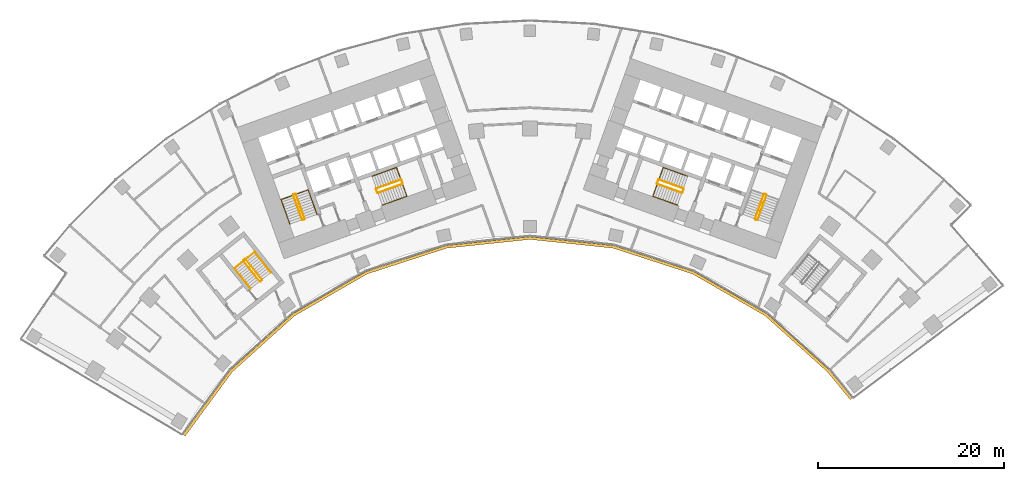
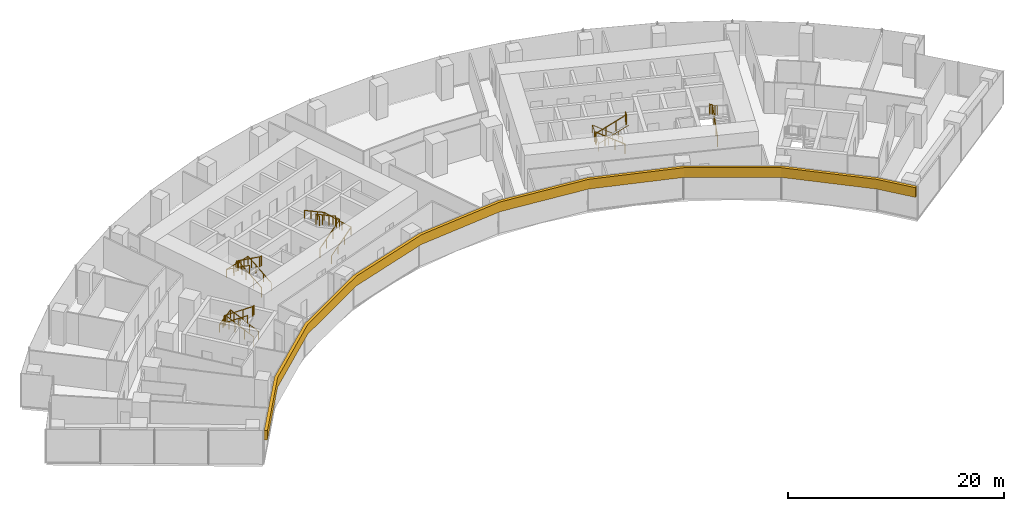
# One storey, part 20 of 21: 14 railings, 1 covering.
"""IFC4 building model written with IfcOpenShell, lengths in metres."""

from ifc_helpers import new_model, si_unit, direction, frame, origin, origin_2d, place, context, subcontext, project, spatial, polyline, circle, outline, extrude, material, layer, layer_set, type_object, element, save


model = new_model("IFC4")

# Units and contexts
model_context = context("Model", 3, precision=1e-05, world=origin(), true_north=direction((0.0, 1.0)))
body_context = subcontext(model_context, "Body", "Model", "MODEL_VIEW")
ifc_project = project(units=[si_unit("LENGTHUNIT", "METRE"), si_unit("AREAUNIT", "SQUARE_METRE"), si_unit("VOLUMEUNIT", "CUBIC_METRE"), si_unit("PLANEANGLEUNIT", "RADIAN"), si_unit("MASSUNIT", "GRAM", prefix="KILO")], contexts=[model_context])

# Site, building, storey
site_placement = place(None, origin())
site = spatial("IfcSite", under=ifc_project, at=site_placement, CompositionType="ELEMENT")
building_placement = place(site_placement, origin())
building = spatial("IfcBuilding", under=site, at=building_placement, Name="Stone Belt Terrace Tower", CompositionType="ELEMENT")
storey_placement = place(building_placement, frame((0.0, 0.0, 71.800048828125)))
storey = spatial("IfcBuildingStorey", under=building, at=storey_placement, Name="L17", CompositionType="ELEMENT", Elevation=71.800048828125)

# Railings
ifc_material_1 = material(Name="Structural steel C345", Category="steel")
railing_type_1 = type_object("IfcRailingType", Name="Stair guard 1100", PredefinedType="GUARDRAIL", material=ifc_material_1)
railing_1_placement = place(storey_placement, frame((-24.2119140625, 45.276123046875, 0.172607421875)))
element("IfcRailing", 1, at=railing_1_placement, inside=storey, type_object=railing_type_1, Name="L17 ST1A stair guard 1", PredefinedType="GUARDRAIL", context=body_context, shape_type="SweptSolid", body=[
    extrude(circle(Radius=0.02392578125, at=origin_2d()), frame((0.0, 0.0, 1.076171875), z_axis=(-0.288228637646, 0.800791768495, 0.525030280985), x_axis=(-0.940908529223, -0.338660803216, 0.0)), (0.0, 0.0, 1.0), 3.289794921875),
    extrude(circle(Radius=0.02392578125, at=origin_2d()), frame((-0.9482421875, 2.634521484375, 2.80322265625), z_axis=(-0.905209821074, 0.424964916, 0.0), x_axis=(-0.424964916, -0.905209821074, 0.0)), (0.0, 0.0, 1.0), 0.070556640625),
    extrude(circle(Radius=0.02392578125, at=origin_2d()), frame((-1.01220703125, 2.66455078125, 2.80322265625), z_axis=(-0.941105063269, -0.338114270461, 0.0), x_axis=(0.338114270461, -0.941105063269, 0.0)), (0.0, 0.0, 1.0), 0.199951171875),
    extrude(circle(Radius=0.02099609375, at=origin_2d()), origin(), (0.0, 0.0, 1.0), 1.052001953125),
    extrude(circle(Radius=0.02099609375, at=origin_2d()), frame((-0.316162109375, 0.878173828125, 0.57568359375)), (0.0, 0.0, 1.0), 1.052001953125),
    extrude(circle(Radius=0.02099609375, at=origin_2d()), frame((-0.632080078125, 1.75634765625, 1.151611328125)), (0.0, 0.0, 1.0), 1.052001953125),
    extrude(circle(Radius=0.02099609375, at=origin_2d()), frame((-0.9482421875, 2.634521484375, 1.727294921875)), (0.0, 0.0, 1.0), 1.052001953125),
    extrude(circle(Radius=0.02099609375, at=origin_2d()), frame((-1.01220703125, 2.66455078125, 1.727294921875)), (0.0, 0.0, 1.0), 1.052001953125),
    extrude(circle(Radius=0.02099609375, at=origin_2d()), frame((-1.200439453125, 2.596923828125, 1.727294921875)), (0.0, 0.0, 1.0), 1.052001953125),
])
railing_2_placement = place(storey_placement, frame((-25.4423828125, 47.80908203125, 2.07275390625)))
element("IfcRailing", 2, at=railing_2_placement, inside=storey, type_object=railing_type_1, Name="L17 ST1A stair guard 2", PredefinedType="GUARDRAIL", context=body_context, shape_type="SweptSolid", body=[
    extrude(circle(Radius=0.02392578125, at=origin_2d()), frame((0.0, 0.0, 1.076171875), z_axis=(0.288228637646, -0.800791768495, 0.525030280985), x_axis=(0.940908529223, 0.338660803216, 0.0)), (0.0, 0.0, 1.0), 3.289794921875),
    extrude(circle(Radius=0.02392578125, at=origin_2d()), frame((0.9482421875, -2.634521484375, 2.80322265625), z_axis=(0.903878284585, -0.427789722475, 0.0), x_axis=(0.427789722475, 0.903878284585, 0.0)), (0.0, 0.0, 1.0), 0.07080078125),
    extrude(circle(Radius=0.02392578125, at=origin_2d()), frame((1.01220703125, -2.664794921875, 2.80322265625), z_axis=(0.940575576748, 0.339584429008, 0.0), x_axis=(-0.339584429008, 0.940575576748, 0.0)), (0.0, 0.0, 1.0), 0.199951171875),
    extrude(circle(Radius=0.02099609375, at=origin_2d()), origin(), (0.0, 0.0, 1.0), 1.052001953125),
    extrude(circle(Radius=0.02099609375, at=origin_2d()), frame((0.316162109375, -0.878173828125, 0.57568359375)), (0.0, 0.0, 1.0), 1.052001953125),
    extrude(circle(Radius=0.02099609375, at=origin_2d()), frame((0.632080078125, -1.75634765625, 1.151611328125)), (0.0, 0.0, 1.0), 1.052001953125),
    extrude(circle(Radius=0.02099609375, at=origin_2d()), frame((0.9482421875, -2.634521484375, 1.727294921875)), (0.0, 0.0, 1.0), 1.052001953125),
    extrude(circle(Radius=0.02099609375, at=origin_2d()), frame((1.01220703125, -2.664794921875, 1.727294921875)), (0.0, 0.0, 1.0), 1.052001953125),
    extrude(circle(Radius=0.02099609375, at=origin_2d()), frame((1.2001953125, -2.596923828125, 1.727294921875)), (0.0, 0.0, 1.0), 1.052001953125),
])
railing_3_placement = place(storey_placement, frame((-16.33837890625, 48.056640625, 0.172607421875)))
element("IfcRailing", 3, at=railing_3_placement, inside=storey, type_object=railing_type_1, Name="L17 ST2A stair guard 1", PredefinedType="GUARDRAIL", context=body_context, shape_type="SweptSolid", body=[
    extrude(circle(Radius=0.02392578125, at=origin_2d()), frame((0.0, 0.0, 1.076171875), z_axis=(0.800808895155, 0.288160591223, 0.52504150989), x_axis=(-0.338583606334, 0.940936311087, 0.0)), (0.0, 0.0, 1.0), 3.289794921875),
    extrude(circle(Radius=0.02392578125, at=origin_2d()), frame((2.634521484375, 0.947998046875, 2.80322265625), z_axis=(0.427789722475, 0.903878284585, 0.0), x_axis=(-0.903878284585, 0.427789722475, 0.0)), (0.0, 0.0, 1.0), 0.07080078125),
    extrude(circle(Radius=0.02392578125, at=origin_2d()), frame((2.664794921875, 1.011962890625, 2.80322265625), z_axis=(-0.338654645739, 0.940910745459, 0.0), x_axis=(-0.940910745459, -0.338654645739, 0.0)), (0.0, 0.0, 1.0), 0.400146484375),
    extrude(circle(Radius=0.02099609375, at=origin_2d()), origin(), (0.0, 0.0, 1.0), 1.052001953125),
    extrude(circle(Radius=0.02099609375, at=origin_2d()), frame((0.878173828125, 0.31591796875, 0.57568359375)), (0.0, 0.0, 1.0), 1.052001953125),
    extrude(circle(Radius=0.02099609375, at=origin_2d()), frame((1.75634765625, 0.632080078125, 1.151611328125)), (0.0, 0.0, 1.0), 1.052001953125),
    extrude(circle(Radius=0.02099609375, at=origin_2d()), frame((2.634521484375, 0.947998046875, 1.727294921875)), (0.0, 0.0, 1.0), 1.052001953125),
    extrude(circle(Radius=0.02099609375, at=origin_2d()), frame((2.664794921875, 1.011962890625, 1.727294921875)), (0.0, 0.0, 1.0), 1.052001953125),
    extrude(circle(Radius=0.02099609375, at=origin_2d()), frame((2.529296875, 1.388427734375, 1.727294921875)), (0.0, 0.0, 1.0), 1.052001953125),
])
railing_4_placement = place(storey_placement, frame((-13.873046875, 49.47509765625, 2.07275390625)))
element("IfcRailing", 4, at=railing_4_placement, inside=storey, type_object=railing_type_1, Name="L17 ST2A stair guard 2", PredefinedType="GUARDRAIL", context=body_context, shape_type="SweptSolid", body=[
    extrude(circle(Radius=0.02392578125, at=origin_2d()), frame((0.0, 0.0, 1.076171875), z_axis=(-0.800808895155, -0.288160591223, 0.52504150989), x_axis=(0.338583606334, -0.940936311087, 0.0)), (0.0, 0.0, 1.0), 3.289794921875),
    extrude(circle(Radius=0.02392578125, at=origin_2d()), frame((-2.634521484375, -0.947998046875, 2.80322265625), z_axis=(-0.427789722475, -0.903878284585, 0.0), x_axis=(0.903878284585, -0.427789722475, 0.0)), (0.0, 0.0, 1.0), 0.07080078125),
    extrude(circle(Radius=0.02392578125, at=origin_2d()), frame((-2.664794921875, -1.011962890625, 2.80322265625), z_axis=(0.338654645739, -0.940910745459, 0.0), x_axis=(0.940910745459, 0.338654645739, 0.0)), (0.0, 0.0, 1.0), 0.400146484375),
    extrude(circle(Radius=0.02099609375, at=origin_2d()), origin(), (0.0, 0.0, 1.0), 1.052001953125),
    extrude(circle(Radius=0.02099609375, at=origin_2d()), frame((-0.878173828125, -0.31591796875, 0.57568359375)), (0.0, 0.0, 1.0), 1.052001953125),
    extrude(circle(Radius=0.02099609375, at=origin_2d()), frame((-1.75634765625, -0.632080078125, 1.151611328125)), (0.0, 0.0, 1.0), 1.052001953125),
    extrude(circle(Radius=0.02099609375, at=origin_2d()), frame((-2.634521484375, -0.947998046875, 1.727294921875)), (0.0, 0.0, 1.0), 1.052001953125),
    extrude(circle(Radius=0.02099609375, at=origin_2d()), frame((-2.664794921875, -1.011962890625, 1.727294921875)), (0.0, 0.0, 1.0), 1.052001953125),
    extrude(circle(Radius=0.02099609375, at=origin_2d()), frame((-2.529296875, -1.388427734375, 1.727294921875)), (0.0, 0.0, 1.0), 1.052001953125),
])
railing_5_placement = place(storey_placement, frame((24.494140625, 45.174560546875, 0.172607421875)))
element("IfcRailing", 5, at=railing_5_placement, inside=storey, type_object=railing_type_1, Name="L17 ST1B stair guard 1", PredefinedType="GUARDRAIL", context=body_context, shape_type="SweptSolid", body=[
    extrude(circle(Radius=0.02392578125, at=origin_2d()), frame((0.0, 0.0, 1.076171875), z_axis=(0.288228637646, 0.800791768495, 0.525030280985), x_axis=(-0.940908529223, 0.338660803216, 0.0)), (0.0, 0.0, 1.0), 3.289794921875),
    extrude(circle(Radius=0.02392578125, at=origin_2d()), frame((0.9482421875, 2.634521484375, 2.80322265625), z_axis=(-0.424964916, 0.905209821074, 0.0), x_axis=(-0.905209821074, -0.424964916, 0.0)), (0.0, 0.0, 1.0), 0.070556640625),
    extrude(circle(Radius=0.02392578125, at=origin_2d()), frame((0.918212890625, 2.698486328125, 2.80322265625), z_axis=(-0.941105063269, 0.338114270461, 0.0), x_axis=(-0.338114270461, -0.941105063269, 0.0)), (0.0, 0.0, 1.0), 0.199951171875),
    extrude(circle(Radius=0.02099609375, at=origin_2d()), origin(), (0.0, 0.0, 1.0), 1.052001953125),
    extrude(circle(Radius=0.02099609375, at=origin_2d()), frame((0.316162109375, 0.878173828125, 0.57568359375)), (0.0, 0.0, 1.0), 1.052001953125),
    extrude(circle(Radius=0.02099609375, at=origin_2d()), frame((0.632080078125, 1.75634765625, 1.151611328125)), (0.0, 0.0, 1.0), 1.052001953125),
    extrude(circle(Radius=0.02099609375, at=origin_2d()), frame((0.9482421875, 2.634521484375, 1.727294921875)), (0.0, 0.0, 1.0), 1.052001953125),
    extrude(circle(Radius=0.02099609375, at=origin_2d()), frame((0.918212890625, 2.698486328125, 1.727294921875)), (0.0, 0.0, 1.0), 1.052001953125),
    extrude(circle(Radius=0.02099609375, at=origin_2d()), frame((0.72998046875, 2.76611328125, 1.727294921875)), (0.0, 0.0, 1.0), 1.052001953125),
])
railing_6_placement = place(storey_placement, frame((25.16015625, 47.91064453125, 2.07275390625)))
element("IfcRailing", 6, at=railing_6_placement, inside=storey, type_object=railing_type_1, Name="L17 ST1B stair guard 2", PredefinedType="GUARDRAIL", context=body_context, shape_type="SweptSolid", body=[
    extrude(circle(Radius=0.02392578125, at=origin_2d()), frame((0.0, 0.0, 1.076171875), z_axis=(-0.288228637646, -0.800791768495, 0.525030280985), x_axis=(0.940908529223, -0.338660803216, 0.0)), (0.0, 0.0, 1.0), 3.289794921875),
    extrude(circle(Radius=0.02392578125, at=origin_2d()), frame((-0.9482421875, -2.634521484375, 2.80322265625), z_axis=(0.427789722475, -0.903878284585, 0.0), x_axis=(0.903878284585, 0.427789722475, 0.0)), (0.0, 0.0, 1.0), 0.07080078125),
    extrude(circle(Radius=0.02392578125, at=origin_2d()), frame((-0.91796875, -2.698486328125, 2.80322265625), z_axis=(0.940575576748, -0.339584429008, 0.0), x_axis=(0.339584429008, 0.940575576748, 0.0)), (0.0, 0.0, 1.0), 0.199951171875),
    extrude(circle(Radius=0.02099609375, at=origin_2d()), origin(), (0.0, 0.0, 1.0), 1.052001953125),
    extrude(circle(Radius=0.02099609375, at=origin_2d()), frame((-0.316162109375, -0.878173828125, 0.57568359375)), (0.0, 0.0, 1.0), 1.052001953125),
    extrude(circle(Radius=0.02099609375, at=origin_2d()), frame((-0.632080078125, -1.75634765625, 1.151611328125)), (0.0, 0.0, 1.0), 1.052001953125),
    extrude(circle(Radius=0.02099609375, at=origin_2d()), frame((-0.9482421875, -2.634521484375, 1.727294921875)), (0.0, 0.0, 1.0), 1.052001953125),
    extrude(circle(Radius=0.02099609375, at=origin_2d()), frame((-0.91796875, -2.698486328125, 1.727294921875)), (0.0, 0.0, 1.0), 1.052001953125),
    extrude(circle(Radius=0.02099609375, at=origin_2d()), frame((-0.72998046875, -2.766357421875, 1.727294921875)), (0.0, 0.0, 1.0), 1.052001953125),
])
railing_7_placement = place(storey_placement, frame((16.507568359375, 48.527099609375, 0.172607421875)))
element("IfcRailing", 7, at=railing_7_placement, inside=storey, type_object=railing_type_1, Name="L17 ST2B stair guard 1", PredefinedType="GUARDRAIL", context=body_context, shape_type="SweptSolid", body=[
    extrude(circle(Radius=0.02392578125, at=origin_2d()), frame((0.0, 0.0, 1.076171875), z_axis=(-0.800808895155, 0.288160591223, 0.52504150989), x_axis=(-0.338583606334, -0.940936311087, 0.0)), (0.0, 0.0, 1.0), 3.289794921875),
    extrude(circle(Radius=0.02392578125, at=origin_2d()), frame((-2.634521484375, 0.947998046875, 2.80322265625), z_axis=(-0.905209821074, -0.424964916, 0.0), x_axis=(0.424964916, -0.905209821074, 0.0)), (0.0, 0.0, 1.0), 0.070556640625),
    extrude(circle(Radius=0.02392578125, at=origin_2d()), frame((-2.698486328125, 0.91796875, 2.80322265625), z_axis=(-0.338654645739, -0.940910745459, 0.0), x_axis=(0.940910745459, -0.338654645739, 0.0)), (0.0, 0.0, 1.0), 0.400146484375),
    extrude(circle(Radius=0.02099609375, at=origin_2d()), origin(), (0.0, 0.0, 1.0), 1.052001953125),
    extrude(circle(Radius=0.02099609375, at=origin_2d()), frame((-0.878173828125, 0.31591796875, 0.57568359375)), (0.0, 0.0, 1.0), 1.052001953125),
    extrude(circle(Radius=0.02099609375, at=origin_2d()), frame((-1.75634765625, 0.632080078125, 1.151611328125)), (0.0, 0.0, 1.0), 1.052001953125),
    extrude(circle(Radius=0.02099609375, at=origin_2d()), frame((-2.634521484375, 0.947998046875, 1.727294921875)), (0.0, 0.0, 1.0), 1.052001953125),
    extrude(circle(Radius=0.02099609375, at=origin_2d()), frame((-2.698486328125, 0.91796875, 1.727294921875)), (0.0, 0.0, 1.0), 1.052001953125),
    extrude(circle(Radius=0.02099609375, at=origin_2d()), frame((-2.833984375, 0.54150390625, 1.727294921875)), (0.0, 0.0, 1.0), 1.052001953125),
])
railing_8_placement = place(storey_placement, frame((13.703857421875, 49.004638671875, 2.07275390625)))
element("IfcRailing", 8, at=railing_8_placement, inside=storey, type_object=railing_type_1, Name="L17 ST2B stair guard 2", PredefinedType="GUARDRAIL", context=body_context, shape_type="SweptSolid", body=[
    extrude(circle(Radius=0.02392578125, at=origin_2d()), frame((0.0, 0.0, 1.076171875), z_axis=(0.800808895155, -0.288160591223, 0.52504150989), x_axis=(0.338583606334, 0.940936311087, 0.0)), (0.0, 0.0, 1.0), 3.289794921875),
    extrude(circle(Radius=0.02392578125, at=origin_2d()), frame((2.634521484375, -0.947998046875, 2.80322265625), z_axis=(0.905209821074, 0.424964916, 0.0), x_axis=(-0.424964916, 0.905209821074, 0.0)), (0.0, 0.0, 1.0), 0.070556640625),
    extrude(circle(Radius=0.02392578125, at=origin_2d()), frame((2.698486328125, -0.91796875, 2.80322265625), z_axis=(0.338654645739, 0.940910745459, 0.0), x_axis=(-0.940910745459, 0.338654645739, 0.0)), (0.0, 0.0, 1.0), 0.400146484375),
    extrude(circle(Radius=0.02099609375, at=origin_2d()), origin(), (0.0, 0.0, 1.0), 1.052001953125),
    extrude(circle(Radius=0.02099609375, at=origin_2d()), frame((0.878173828125, -0.31591796875, 0.57568359375)), (0.0, 0.0, 1.0), 1.052001953125),
    extrude(circle(Radius=0.02099609375, at=origin_2d()), frame((1.75634765625, -0.632080078125, 1.151611328125)), (0.0, 0.0, 1.0), 1.052001953125),
    extrude(circle(Radius=0.02099609375, at=origin_2d()), frame((2.634521484375, -0.947998046875, 1.727294921875)), (0.0, 0.0, 1.0), 1.052001953125),
    extrude(circle(Radius=0.02099609375, at=origin_2d()), frame((2.698486328125, -0.91796875, 1.727294921875)), (0.0, 0.0, 1.0), 1.052001953125),
    extrude(circle(Radius=0.02099609375, at=origin_2d()), frame((2.833984375, -0.54150390625, 1.727294921875)), (0.0, 0.0, 1.0), 1.052001953125),
])
railing_9_placement = place(storey_placement, frame((-28.814208984375, 38.734619140625, 0.172607421875)))
element("IfcRailing", 9, at=railing_9_placement, inside=storey, type_object=railing_type_1, Name="L17 ST3A stair guard 1", PredefinedType="GUARDRAIL", context=body_context, shape_type="SweptSolid", body=[
    extrude(circle(Radius=0.02392578125, at=origin_2d()), frame((0.0, 0.0, 1.076171875), z_axis=(-0.530306321799, 0.665665785969, 0.525037395288), x_axis=(-0.782143211408, -0.623098705543, 0.0)), (0.0, 0.0, 1.0), 3.289794921875),
    extrude(circle(Radius=0.02392578125, at=origin_2d()), frame((-1.74462890625, 2.18994140625, 2.80322265625), z_axis=(-0.993883734674, 0.110431526075, 0.0), x_axis=(-0.110431526075, -0.993883734674, 0.0)), (0.0, 0.0, 1.0), 0.07080078125),
    extrude(circle(Radius=0.02392578125, at=origin_2d()), frame((-1.81494140625, 2.19775390625, 2.80322265625), z_axis=(-0.782533463299, -0.622608527742, 0.0), x_axis=(0.622608527742, -0.782533463299, 0.0)), (0.0, 0.0, 1.0), 0.199951171875),
    extrude(circle(Radius=0.02099609375, at=origin_2d()), origin(), (0.0, 0.0, 1.0), 1.052001953125),
    extrude(circle(Radius=0.02099609375, at=origin_2d()), frame((-0.58154296875, 0.72998046875, 0.57568359375)), (0.0, 0.0, 1.0), 1.052001953125),
    extrude(circle(Radius=0.02099609375, at=origin_2d()), frame((-1.1630859375, 1.4599609375, 1.151611328125)), (0.0, 0.0, 1.0), 1.052001953125),
    extrude(circle(Radius=0.02099609375, at=origin_2d()), frame((-1.74462890625, 2.18994140625, 1.727294921875)), (0.0, 0.0, 1.0), 1.052001953125),
    extrude(circle(Radius=0.02099609375, at=origin_2d()), frame((-1.81494140625, 2.19775390625, 1.727294921875)), (0.0, 0.0, 1.0), 1.052001953125),
    extrude(circle(Radius=0.02099609375, at=origin_2d()), frame((-1.971435546875, 2.0732421875, 1.727294921875)), (0.0, 0.0, 1.0), 1.052001953125),
])
railing_10_placement = place(storey_placement, frame((-30.793701171875, 40.737548828125, 2.07275390625)))
element("IfcRailing", 10, at=railing_10_placement, inside=storey, type_object=railing_type_1, Name="L17 ST3A stair guard 2", PredefinedType="GUARDRAIL", context=body_context, shape_type="SweptSolid", body=[
    extrude(circle(Radius=0.02392578125, at=origin_2d()), frame((0.0, 0.0, 1.076171875), z_axis=(0.530359659125, -0.665639588968, 0.525016732659), x_axis=(0.782100716982, 0.62315204284, 0.0)), (0.0, 0.0, 1.0), 3.2900390625),
    extrude(circle(Radius=0.02392578125, at=origin_2d()), frame((1.744873046875, -2.18994140625, 2.80322265625), z_axis=(0.993499272973, -0.113838458361, 0.0), x_axis=(0.113838458361, 0.993499272973, 0.0)), (0.0, 0.0, 1.0), 0.07080078125),
    extrude(circle(Radius=0.02392578125, at=origin_2d()), frame((1.815185546875, -2.197998046875, 2.80322265625), z_axis=(0.781464082609, 0.623950228458, 0.0), x_axis=(-0.623950228458, 0.781464082609, 0.0)), (0.0, 0.0, 1.0), 0.199951171875),
    extrude(circle(Radius=0.02099609375, at=origin_2d()), origin(), (0.0, 0.0, 1.0), 1.052001953125),
    extrude(circle(Radius=0.02099609375, at=origin_2d()), frame((0.58154296875, -0.72998046875, 0.57568359375)), (0.0, 0.0, 1.0), 1.052001953125),
    extrude(circle(Radius=0.02099609375, at=origin_2d()), frame((1.163330078125, -1.4599609375, 1.151611328125)), (0.0, 0.0, 1.0), 1.052001953125),
    extrude(circle(Radius=0.02099609375, at=origin_2d()), frame((1.744873046875, -2.18994140625, 1.727294921875)), (0.0, 0.0, 1.0), 1.052001953125),
    extrude(circle(Radius=0.02099609375, at=origin_2d()), frame((1.815185546875, -2.197998046875, 1.727294921875)), (0.0, 0.0, 1.0), 1.052001953125),
    extrude(circle(Radius=0.02099609375, at=origin_2d()), frame((1.971435546875, -2.0732421875, 1.727294921875)), (0.0, 0.0, 1.0), 1.052001953125),
])
railing_type_2 = type_object("IfcRailingType", Name="Stair handrail 900", PredefinedType="HANDRAIL", material=ifc_material_1)
railing_11_placement = place(storey_placement, frame((-22.894775390625, 45.750244140625, 0.172607421875)))
element("IfcRailing", 11, at=railing_11_placement, inside=storey, type_object=railing_type_2, Name="L17 ST1A stair handrail 1", PredefinedType="HANDRAIL", context=body_context, shape_type="SweptSolid", body=[
    extrude(circle(Radius=0.02392578125, at=origin_2d()), frame((0.0, 0.0, 0.8759765625), z_axis=(-0.288160591223, 0.800808895155, 0.52504150989), x_axis=(-0.940936311087, -0.338583606334, 0.0)), (0.0, 0.0, 1.0), 3.289794921875),
    extrude(circle(Radius=0.02392578125, at=origin_2d()), frame((-0.947998046875, 2.634521484375, 2.60302734375), z_axis=(-0.939460408074, -0.338105101667, 0.055669398135), x_axis=(0.338630230244, -0.940919532779, 0.0)), (0.0, 0.0, 1.0), 3.10498046875),
    extrude(circle(Radius=0.02392578125, at=origin_2d()), frame((-3.864990234375, 1.584716796875, 2.77587890625), z_axis=(0.288228637646, -0.800791768495, 0.525030280985), x_axis=(0.940908529223, 0.338660803216, 0.0)), (0.0, 0.0, 1.0), 3.289794921875),
    extrude(circle(Radius=0.02099609375, at=origin_2d()), origin(), (0.0, 0.0, 1.0), 0.851806640625),
    extrude(circle(Radius=0.02099609375, at=origin_2d()), frame((-0.31591796875, 0.878173828125, 0.57568359375)), (0.0, 0.0, 1.0), 0.851806640625),
    extrude(circle(Radius=0.02099609375, at=origin_2d()), frame((-0.632080078125, 1.75634765625, 1.151611328125)), (0.0, 0.0, 1.0), 0.851806640625),
    extrude(circle(Radius=0.02099609375, at=origin_2d()), frame((-0.947998046875, 2.634521484375, 1.727294921875)), (0.0, 0.0, 1.0), 0.851806640625),
    extrude(circle(Radius=0.02099609375, at=origin_2d()), frame((-1.92041015625, 2.28466796875, 1.784912109375)), (0.0, 0.0, 1.0), 0.851806640625),
    extrude(circle(Radius=0.02099609375, at=origin_2d()), frame((-2.892578125, 1.9345703125, 1.842529296875)), (0.0, 0.0, 1.0), 0.851806640625),
    extrude(circle(Radius=0.02099609375, at=origin_2d()), frame((-3.864990234375, 1.584716796875, 1.900146484375)), (0.0, 0.0, 1.0), 0.851806640625),
    extrude(circle(Radius=0.02099609375, at=origin_2d()), frame((-3.548828125, 0.70654296875, 2.475830078125)), (0.0, 0.0, 1.0), 0.851806640625),
    extrude(circle(Radius=0.02099609375, at=origin_2d()), frame((-3.23291015625, -0.171630859375, 3.0517578125)), (0.0, 0.0, 1.0), 0.851806640625),
    extrude(circle(Radius=0.02099609375, at=origin_2d()), frame((-2.916748046875, -1.0498046875, 3.62744140625)), (0.0, 0.0, 1.0), 0.851806640625),
])
railing_12_placement = place(storey_placement, frame((-15.8642578125, 46.7392578125, 0.172607421875)))
element("IfcRailing", 12, at=railing_12_placement, inside=storey, type_object=railing_type_2, Name="L17 ST2A stair handrail 1", PredefinedType="HANDRAIL", context=body_context, shape_type="SweptSolid", body=[
    extrude(circle(Radius=0.02392578125, at=origin_2d()), frame((0.0, 0.0, 0.8759765625), z_axis=(0.800791768495, 0.288228637646, 0.525030280985), x_axis=(-0.338660803216, 0.940908529223, 0.0)), (0.0, 0.0, 1.0), 3.289794921875),
    extrude(circle(Radius=0.02392578125, at=origin_2d()), frame((2.634521484375, 0.9482421875, 2.60302734375), z_axis=(-0.338158948057, 0.939634149308, 0.052308615955), x_axis=(-0.940922302781, -0.338622533404, 0.0)), (0.0, 0.0, 1.0), 3.304443359375),
    extrude(circle(Radius=0.02392578125, at=origin_2d()), frame((1.51708984375, 4.05322265625, 2.77587890625), z_axis=(-0.800791768495, -0.288228637646, 0.525030280985), x_axis=(0.338660803216, -0.940908529223, 0.0)), (0.0, 0.0, 1.0), 3.289794921875),
    extrude(circle(Radius=0.02099609375, at=origin_2d()), origin(), (0.0, 0.0, 1.0), 0.851806640625),
    extrude(circle(Radius=0.02099609375, at=origin_2d()), frame((0.878173828125, 0.316162109375, 0.57568359375)), (0.0, 0.0, 1.0), 0.851806640625),
    extrude(circle(Radius=0.02099609375, at=origin_2d()), frame((1.75634765625, 0.632080078125, 1.151611328125)), (0.0, 0.0, 1.0), 0.851806640625),
    extrude(circle(Radius=0.02099609375, at=origin_2d()), frame((2.634521484375, 0.9482421875, 1.727294921875)), (0.0, 0.0, 1.0), 0.851806640625),
    extrude(circle(Radius=0.02099609375, at=origin_2d()), frame((2.261962890625, 1.983154296875, 1.784912109375)), (0.0, 0.0, 1.0), 0.851806640625),
    extrude(circle(Radius=0.02099609375, at=origin_2d()), frame((1.8896484375, 3.018310546875, 1.842529296875)), (0.0, 0.0, 1.0), 0.851806640625),
    extrude(circle(Radius=0.02099609375, at=origin_2d()), frame((1.51708984375, 4.05322265625, 1.900146484375)), (0.0, 0.0, 1.0), 0.851806640625),
    extrude(circle(Radius=0.02099609375, at=origin_2d()), frame((0.638916015625, 3.737060546875, 2.475830078125)), (0.0, 0.0, 1.0), 0.851806640625),
    extrude(circle(Radius=0.02099609375, at=origin_2d()), frame((-0.2392578125, 3.421142578125, 3.0517578125)), (0.0, 0.0, 1.0), 0.851806640625),
    extrude(circle(Radius=0.02099609375, at=origin_2d()), frame((-1.117431640625, 3.10498046875, 3.62744140625)), (0.0, 0.0, 1.0), 0.851806640625),
])
railing_13_placement = place(storey_placement, frame((16.981689453125, 49.84423828125, 0.172607421875)))
element("IfcRailing", 13, at=railing_13_placement, inside=storey, type_object=railing_type_2, Name="L17 ST2B stair handrail 1", PredefinedType="HANDRAIL", context=body_context, shape_type="SweptSolid", body=[
    extrude(circle(Radius=0.02392578125, at=origin_2d()), frame((0.0, 0.0, 0.8759765625), z_axis=(-0.800791768495, 0.288228637646, 0.525030280985), x_axis=(-0.338660803216, -0.940908529223, 0.0)), (0.0, 0.0, 1.0), 3.289794921875),
    extrude(circle(Radius=0.02392578125, at=origin_2d()), frame((-2.634521484375, 0.9482421875, 2.60302734375), z_axis=(-0.338158948057, -0.939634149308, 0.052308615955), x_axis=(0.940922302781, -0.338622533404, 0.0)), (0.0, 0.0, 1.0), 3.304443359375),
    extrude(circle(Radius=0.02392578125, at=origin_2d()), frame((-3.751953125, -2.15673828125, 2.77587890625), z_axis=(0.800791768495, -0.288228637646, 0.525030280985), x_axis=(0.338660803216, 0.940908529223, 0.0)), (0.0, 0.0, 1.0), 3.289794921875),
    extrude(circle(Radius=0.02099609375, at=origin_2d()), origin(), (0.0, 0.0, 1.0), 0.851806640625),
    extrude(circle(Radius=0.02099609375, at=origin_2d()), frame((-0.878173828125, 0.316162109375, 0.57568359375)), (0.0, 0.0, 1.0), 0.851806640625),
    extrude(circle(Radius=0.02099609375, at=origin_2d()), frame((-1.75634765625, 0.632080078125, 1.151611328125)), (0.0, 0.0, 1.0), 0.851806640625),
    extrude(circle(Radius=0.02099609375, at=origin_2d()), frame((-2.634521484375, 0.9482421875, 1.727294921875)), (0.0, 0.0, 1.0), 0.851806640625),
    extrude(circle(Radius=0.02099609375, at=origin_2d()), frame((-3.007080078125, -0.086669921875, 1.784912109375)), (0.0, 0.0, 1.0), 0.851806640625),
    extrude(circle(Radius=0.02099609375, at=origin_2d()), frame((-3.37939453125, -1.121826171875, 1.842529296875)), (0.0, 0.0, 1.0), 0.851806640625),
    extrude(circle(Radius=0.02099609375, at=origin_2d()), frame((-3.751953125, -2.15673828125, 1.900146484375)), (0.0, 0.0, 1.0), 0.851806640625),
    extrude(circle(Radius=0.02099609375, at=origin_2d()), frame((-2.873779296875, -2.472900390625, 2.475830078125)), (0.0, 0.0, 1.0), 0.851806640625),
    extrude(circle(Radius=0.02099609375, at=origin_2d()), frame((-1.99560546875, -2.788818359375, 3.0517578125)), (0.0, 0.0, 1.0), 0.851806640625),
    extrude(circle(Radius=0.02099609375, at=origin_2d()), frame((-1.117431640625, -3.10498046875, 3.62744140625)), (0.0, 0.0, 1.0), 0.851806640625),
])
railing_14_placement = place(storey_placement, frame((-27.836669921875, 39.513427734375, 0.172607421875)))
element("IfcRailing", 14, at=railing_14_placement, inside=storey, type_object=railing_type_2, Name="L17 ST3A stair handrail 1", PredefinedType="HANDRAIL", context=body_context, shape_type="SweptSolid", body=[
    extrude(circle(Radius=0.02392578125, at=origin_2d()), frame((0.0, 0.0, 0.8759765625), z_axis=(-0.530306321799, 0.665665785969, 0.525037395288), x_axis=(-0.782143211408, -0.623098705543, 0.0)), (0.0, 0.0, 1.0), 3.289794921875),
    extrude(circle(Radius=0.02392578125, at=origin_2d()), frame((-1.74462890625, 2.18994140625, 2.60302734375), z_axis=(-0.78065703189, -0.621914732429, 0.061617076765), x_axis=(0.623098705543, -0.782143211408, 0.0)), (0.0, 0.0, 1.0), 2.80517578125),
    extrude(circle(Radius=0.02392578125, at=origin_2d()), frame((-3.9345703125, 0.4453125, 2.77587890625), z_axis=(0.530306321799, -0.665665785969, 0.525037395288), x_axis=(0.782143211408, 0.623098705543, 0.0)), (0.0, 0.0, 1.0), 3.289794921875),
    extrude(circle(Radius=0.02099609375, at=origin_2d()), origin(), (0.0, 0.0, 1.0), 0.851806640625),
    extrude(circle(Radius=0.02099609375, at=origin_2d()), frame((-0.58154296875, 0.72998046875, 0.57568359375)), (0.0, 0.0, 1.0), 0.851806640625),
    extrude(circle(Radius=0.02099609375, at=origin_2d()), frame((-1.1630859375, 1.4599609375, 1.151611328125)), (0.0, 0.0, 1.0), 0.851806640625),
    extrude(circle(Radius=0.02099609375, at=origin_2d()), frame((-1.74462890625, 2.18994140625, 1.727294921875)), (0.0, 0.0, 1.0), 0.851806640625),
    extrude(circle(Radius=0.02099609375, at=origin_2d()), frame((-2.474609375, 1.6083984375, 1.784912109375)), (0.0, 0.0, 1.0), 0.851806640625),
    extrude(circle(Radius=0.02099609375, at=origin_2d()), frame((-3.20458984375, 1.02685546875, 1.842529296875)), (0.0, 0.0, 1.0), 0.851806640625),
    extrude(circle(Radius=0.02099609375, at=origin_2d()), frame((-3.9345703125, 0.4453125, 1.900146484375)), (0.0, 0.0, 1.0), 0.851806640625),
    extrude(circle(Radius=0.02099609375, at=origin_2d()), frame((-3.35302734375, -0.28466796875, 2.475830078125)), (0.0, 0.0, 1.0), 0.851806640625),
    extrude(circle(Radius=0.02099609375, at=origin_2d()), frame((-2.771484375, -1.0146484375, 3.0517578125)), (0.0, 0.0, 1.0), 0.851806640625),
    extrude(circle(Radius=0.02099609375, at=origin_2d()), frame((-2.18994140625, -1.74462890625, 3.62744140625)), (0.0, 0.0, 1.0), 0.851806640625),
])

# Covering
ifc_material_2 = material(Name="Terracotta coloured glazed ceramic", Category="masonry")
ifc_layer = layer(ifc_material_2, 0.300048828125)
ifc_layer_set = layer_set([ifc_layer], Name="Terracotta spandrel band 300 x 1100")
covering_type = type_object("IfcCoveringType", Name="Terracotta spandrel band 300 x 1100", PredefinedType="CLADDING", material=ifc_layer_set)
covering_placement = place(storey_placement, frame((0.0, 0.0, 2.699951171875)))
element("IfcCovering", 15, at=covering_placement, inside=storey, type_object=covering_type, Name="BAND L17", PredefinedType="CLADDING", context=body_context, shape_type="SweptSolid", body=[
    extrude(outline(polyline([(-37.3134765625, 22.068115234375), (-32.215087890625, 29.006103515625), (-25.47998046875, 35.0703125), (-17.631591796875, 39.6015625), (-9.0126953125, 42.40185546875), (0.0, 43.34912109375), (9.0126953125, 42.40185546875), (17.631591796875, 39.6015625), (25.47998046875, 35.0703125), (32.218017578125, 29.003173828125), (34.68359375, 26.005615234375), (34.451904296875, 25.81494140625), (32.000732421875, 28.79541015625), (25.302734375, 34.826171875), (17.509033203125, 39.325927734375), (8.9501953125, 42.10693359375), (0.0, 43.047607421875), (-8.9501953125, 42.10693359375), (-17.509033203125, 39.325927734375), (-25.302734375, 34.826171875), (-31.991455078125, 28.8037109375), (-37.071533203125, 21.890380859375), (-37.3134765625, 22.068115234375)])), origin(), (0.0, 0.0, 1.0), 1.10009765625),
])

save(model, "model.ifc")
